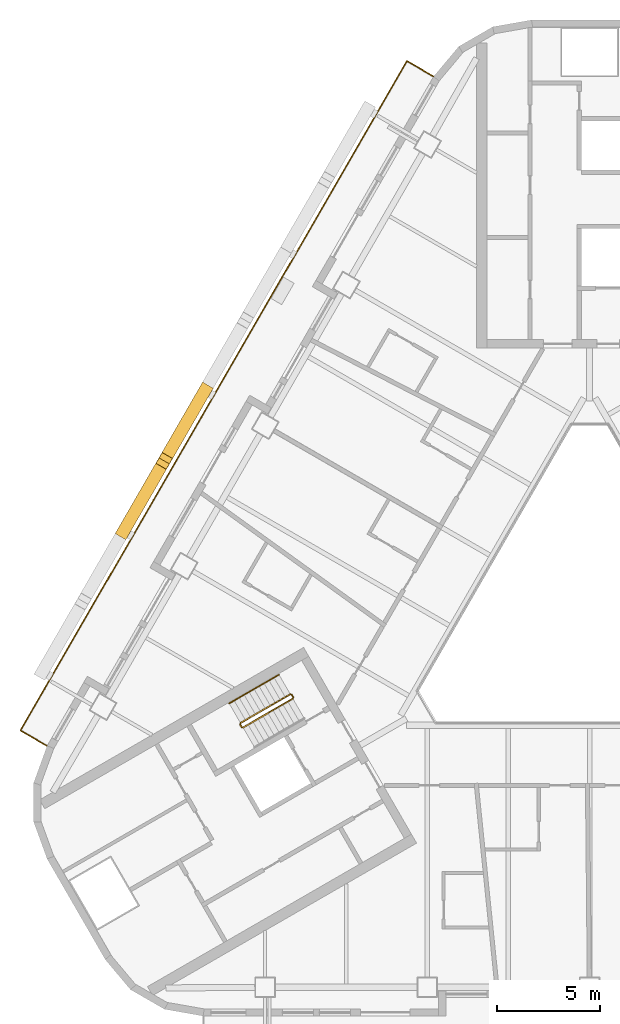
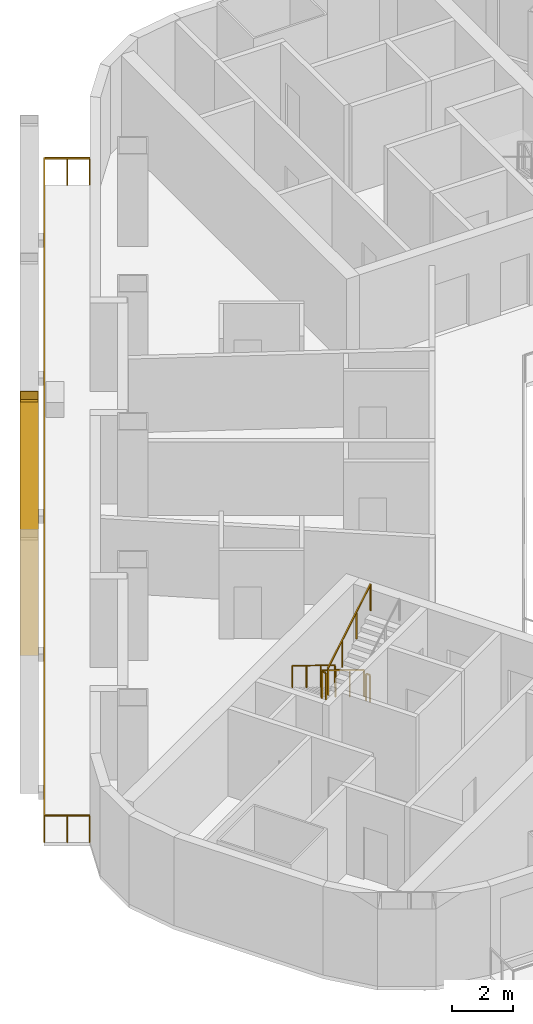
# One storey, part 10 of 14: 6 railings, 2 shading devices.
"""IFC4 building model written with IfcOpenShell, lengths in metres."""

from ifc_helpers import new_model, si_unit, direction, frame, origin, origin_2d, place, context, subcontext, project, spatial, rectangle, hollow_rectangle, circle, extrude, material, material_profile, profile_set, type_object, element, save


model = new_model("IFC4")

# Units and contexts
model_context = context("Model", 3, precision=1e-05, world=origin(), true_north=direction((0.0, 1.0)))
body_context = subcontext(model_context, "Body", "Model", "MODEL_VIEW")
ifc_project = project(units=[si_unit("LENGTHUNIT", "METRE"), si_unit("AREAUNIT", "SQUARE_METRE"), si_unit("VOLUMEUNIT", "CUBIC_METRE"), si_unit("PLANEANGLEUNIT", "RADIAN"), si_unit("MASSUNIT", "GRAM", prefix="KILO")], contexts=[model_context])

# Site, building, storey
site_placement = place(None, origin())
site = spatial("IfcSite", under=ifc_project, at=site_placement, CompositionType="ELEMENT")
building_placement = place(site_placement, origin())
building = spatial("IfcBuilding", under=site, at=building_placement, Name="Apuvela Tower Hotel", CompositionType="ELEMENT")
storey_placement = place(building_placement, frame((0.0, 0.0, 76.10009765625)))
storey = spatial("IfcBuildingStorey", under=building, at=storey_placement, Name="L16", CompositionType="ELEMENT", Elevation=76.10009765625)

# Railings
ifc_material_1 = material(Name="Steel S275 balustrade", Category="steel")
railing_type_1 = type_object("IfcRailingType", Name="COR-GUARD-1100", PredefinedType="GUARDRAIL", material=ifc_material_1)
railing_1_placement = place(storey_placement, frame((-14.569091796875, -3.9658203125, 0.16796875)))
element("IfcRailing", 1, at=railing_1_placement, inside=storey, type_object=railing_type_1, Name="L16 ST2 stair guard 1", PredefinedType="GUARDRAIL", context=body_context, shape_type="SweptSolid", body=[
    extrude(rectangle(XDim=0.048095703125, YDim=0.048095703125, at=origin_2d()), frame((0.0, 0.0, 1.076171875), z_axis=(-0.742390482028, -0.42860119049, 0.514934356695), x_axis=(0.49998411664, -0.866034573852, 0.0)), (0.0, 0.0, 1.0), 3.26611328125),
    extrude(rectangle(XDim=0.0419921875, YDim=0.0419921875, at=origin_2d()), origin(), (0.0, 0.0, 1.0), 1.052001953125),
    extrude(rectangle(XDim=0.0419921875, YDim=0.0419921875, at=origin_2d()), frame((-0.808349609375, -0.466552734375, 0.560546875)), (0.0, 0.0, 1.0), 1.052001953125),
    extrude(rectangle(XDim=0.0419921875, YDim=0.0419921875, at=origin_2d()), frame((-1.616455078125, -0.933349609375, 1.121337890625)), (0.0, 0.0, 1.0), 1.052001953125),
    extrude(rectangle(XDim=0.0419921875, YDim=0.0419921875, at=origin_2d()), frame((-2.4248046875, -1.39990234375, 1.681884765625)), (0.0, 0.0, 1.0), 1.052001953125),
])
railing_2_placement = place(storey_placement, frame((-17.01220703125, -5.43408203125, 1.849853515625)))
element("IfcRailing", 2, at=railing_2_placement, inside=storey, type_object=railing_type_1, Name="L16 ST2 stair guard 2", PredefinedType="GUARDRAIL", context=body_context, shape_type="SweptSolid", body=[
    extrude(rectangle(XDim=0.048095703125, YDim=0.048095703125, at=origin_2d()), frame((0.0, 0.0, 1.076171875), z_axis=(0.499816412211, -0.866131372301, 0.0), x_axis=(0.866131372301, 0.499816412211, 0.0)), (0.0, 0.0, 1.0), 0.14990234375),
    extrude(rectangle(XDim=0.0419921875, YDim=0.0419921875, at=origin_2d()), origin(), (0.0, 0.0, 1.0), 1.052001953125),
    extrude(rectangle(XDim=0.0419921875, YDim=0.0419921875, at=origin_2d()), frame((0.074951171875, -0.1298828125, 0.0)), (0.0, 0.0, 1.0), 1.052001953125),
])
railing_3_placement = place(storey_placement, frame((-16.868896484375, -5.582275390625, 2.01806640625)))
element("IfcRailing", 3, at=railing_3_placement, inside=storey, type_object=railing_type_1, Name="L16 ST2 stair guard 3", PredefinedType="GUARDRAIL", context=body_context, shape_type="SweptSolid", body=[
    extrude(rectangle(XDim=0.048095703125, YDim=0.048095703125, at=origin_2d()), frame((0.0, 0.0, 1.076171875), z_axis=(0.742390482028, 0.42860119049, 0.514934356695), x_axis=(-0.49998411664, 0.866034573852, 0.0)), (0.0, 0.0, 1.0), 3.26611328125),
    extrude(rectangle(XDim=0.0419921875, YDim=0.0419921875, at=origin_2d()), origin(), (0.0, 0.0, 1.0), 1.052001953125),
    extrude(rectangle(XDim=0.0419921875, YDim=0.0419921875, at=origin_2d()), frame((0.808349609375, 0.466552734375, 0.560546875)), (0.0, 0.0, 1.0), 1.052001953125),
    extrude(rectangle(XDim=0.0419921875, YDim=0.0419921875, at=origin_2d()), frame((1.616455078125, 0.933349609375, 1.121337890625)), (0.0, 0.0, 1.0), 1.052001953125),
    extrude(rectangle(XDim=0.0419921875, YDim=0.0419921875, at=origin_2d()), frame((2.4248046875, 1.39990234375, 1.681884765625)), (0.0, 0.0, 1.0), 1.052001953125),
])
railing_4_placement = place(storey_placement, frame((-14.500732421875, -3.984130859375, 0.0)))
element("IfcRailing", 4, at=railing_4_placement, inside=storey, type_object=railing_type_1, Name="L16 ST2 stair guard 4", PredefinedType="GUARDRAIL", context=body_context, shape_type="SweptSolid", body=[
    extrude(rectangle(XDim=0.048095703125, YDim=0.048095703125, at=origin_2d()), frame((0.0, 0.0, 1.076171875), z_axis=(0.499816412211, -0.866131372301, 0.0), x_axis=(0.866131372301, 0.499816412211, 0.0)), (0.0, 0.0, 1.0), 0.14990234375),
    extrude(rectangle(XDim=0.0419921875, YDim=0.0419921875, at=origin_2d()), origin(), (0.0, 0.0, 1.0), 1.052001953125),
    extrude(rectangle(XDim=0.0419921875, YDim=0.0419921875, at=origin_2d()), frame((0.074951171875, -0.1298828125, 0.0)), (0.0, 0.0, 1.0), 1.052001953125),
])
ifc_material_2 = material(Name="Stainless steel 316 handrail", Category="steel")
railing_type_2 = type_object("IfcRailingType", Name="COR-HANDRAIL-900", PredefinedType="HANDRAIL", material=ifc_material_2)
railing_5_placement = place(storey_placement, frame((-15.118896484375, -3.01318359375, 0.16796875)))
element("IfcRailing", 5, at=railing_5_placement, inside=storey, type_object=railing_type_2, Name="L16 ST2 stair handrail 1", PredefinedType="HANDRAIL", context=body_context, shape_type="SweptSolid", body=[
    extrude(circle(Radius=0.02392578125, at=origin_2d()), frame((0.0, 0.0, 0.8759765625), z_axis=(-0.742424030051, -0.428577407461, 0.514905783049), x_axis=(0.49994636267, -0.866056369097, 0.0)), (0.0, 0.0, 1.0), 3.266357421875),
    extrude(rectangle(XDim=0.0419921875, YDim=0.0419921875, at=origin_2d()), origin(), (0.0, 0.0, 1.0), 0.851806640625),
    extrude(rectangle(XDim=0.0419921875, YDim=0.0419921875, at=origin_2d()), frame((-0.808349609375, -0.466552734375, 0.560546875)), (0.0, 0.0, 1.0), 0.851806640625),
    extrude(rectangle(XDim=0.0419921875, YDim=0.0419921875, at=origin_2d()), frame((-1.61669921875, -0.933349609375, 1.121337890625)), (0.0, 0.0, 1.0), 0.851806640625),
    extrude(rectangle(XDim=0.0419921875, YDim=0.0419921875, at=origin_2d()), frame((-2.425048828125, -1.39990234375, 1.681884765625)), (0.0, 0.0, 1.0), 0.851806640625),
])

# Shading devices
ifc_material_3 = material(Name="Aluminium 6063-T6, black anodised", Category="aluminium")
ifc_material_profile = material_profile(ifc_material_3, hollow_rectangle(XDim=0.60009765625, YDim=0.699951171875, WallThickness=0.011962890625, at=origin_2d()), Name="AL BOX 700x600x12")
ifc_profile_set = profile_set([ifc_material_profile], Name="Aluminium 6063-T6, black anodised")
shading_device_type = type_object("IfcShadingDeviceType", Name="ENV-FIN-700x600", PredefinedType="USERDEFINED", material=ifc_profile_set)
shading_device_1_placement = place(storey_placement, frame((-18.732177734375, 10.81494140625, -0.10009765625), z_axis=(-0.235436388043, -0.407800622186, 0.882195193667), x_axis=(0.866032218625, -0.499988196164, 0.0)))
element("IfcShadingDevice", 6, at=shading_device_1_placement, inside=storey, type_object=shading_device_type, Name="Lattice fin NW133", ObjectType="FIN", PredefinedType="USERDEFINED", context=body_context, shape_type="SweptSolid", body=[
    extrude(hollow_rectangle(XDim=0.60009765625, YDim=0.699951171875, WallThickness=0.011962890625, at=origin_2d()), origin(), (0.0, 0.0, 1.0), 8.387939453125),
])
shading_device_2_placement = place(storey_placement, frame((-22.68212890625, 3.973388671875, -0.10009765625), z_axis=(0.235461085354, 0.407822092458, 0.882178677019), x_axis=(-0.866020906874, 0.500007788796, 0.0)))
element("IfcShadingDevice", 7, at=shading_device_2_placement, inside=storey, type_object=shading_device_type, Name="Lattice fin NW134", ObjectType="FIN", PredefinedType="USERDEFINED", context=body_context, shape_type="SweptSolid", body=[
    extrude(hollow_rectangle(XDim=0.60009765625, YDim=0.699951171875, WallThickness=0.011962890625, at=origin_2d()), origin(), (0.0, 0.0, 1.0), 8.38818359375),
])

# Railing
ifc_material_4 = material(Name="Stainless steel 316 rail with laminated glass infill", Category="steel")
railing_type_3 = type_object("IfcRailingType", Name="ENV-GUARD-1100", PredefinedType="GUARDRAIL", material=ifc_material_4)
railing_6_placement = place(storey_placement, frame((-7.59228515625, 26.110107421875, 0.0)))
element("IfcRailing", 8, at=railing_6_placement, inside=storey, type_object=railing_type_3, Name="Balcony guard NW L16", PredefinedType="GUARDRAIL", context=body_context, shape_type="SweptSolid", body=[
    extrude(rectangle(XDim=0.050048828125, YDim=0.050048828125, at=origin_2d()), frame((0.0, 0.0, 1.0751953125), z_axis=(-0.86599040064, 0.500060622324, 0.0), x_axis=(-0.500060622324, -0.86599040064, 0.0)), (0.0, 0.0, 1.0), 1.499755859375),
    extrude(rectangle(XDim=0.050048828125, YDim=0.050048828125, at=origin_2d()), frame((-1.298828125, 0.75, 1.0751953125), z_axis=(-0.500000437506, -0.86602515119, 0.0), x_axis=(0.86602515119, -0.500000437506, 0.0)), (0.0, 0.0, 1.0), 37.6318359375),
    extrude(rectangle(XDim=0.050048828125, YDim=0.050048828125, at=origin_2d()), frame((-20.11474609375, -31.840087890625, 1.0751953125), z_axis=(0.866031096941, -0.499990139034, 0.0), x_axis=(0.499990139034, 0.866031096941, 0.0)), (0.0, 0.0, 1.0), 1.5),
    extrude(rectangle(XDim=0.0400390625, YDim=0.0400390625, at=origin_2d()), origin(), (0.0, 0.0, 1.0), 1.050048828125),
    extrude(rectangle(XDim=0.0400390625, YDim=0.0400390625, at=origin_2d()), frame((-0.6494140625, 0.375, 0.0)), (0.0, 0.0, 1.0), 1.050048828125),
    extrude(rectangle(XDim=0.0400390625, YDim=0.0400390625, at=origin_2d()), frame((-1.298828125, 0.75, 0.0)), (0.0, 0.0, 1.0), 1.050048828125),
    extrude(rectangle(XDim=0.0400390625, YDim=0.0400390625, at=origin_2d()), frame((-1.88671875, -0.2685546875, 0.0)), (0.0, 0.0, 1.0), 1.050048828125),
    extrude(rectangle(XDim=0.0400390625, YDim=0.0400390625, at=origin_2d()), frame((-2.474853515625, -1.286865234375, 0.0)), (0.0, 0.0, 1.0), 1.050048828125),
    extrude(rectangle(XDim=0.0400390625, YDim=0.0400390625, at=origin_2d()), frame((-3.062744140625, -2.305419921875, 0.0)), (0.0, 0.0, 1.0), 1.050048828125),
    extrude(rectangle(XDim=0.0400390625, YDim=0.0400390625, at=origin_2d()), frame((-3.65087890625, -3.32373046875, 0.0)), (0.0, 0.0, 1.0), 1.050048828125),
    extrude(rectangle(XDim=0.0400390625, YDim=0.0400390625, at=origin_2d()), frame((-4.23876953125, -4.34228515625, 0.0)), (0.0, 0.0, 1.0), 1.050048828125),
    extrude(rectangle(XDim=0.0400390625, YDim=0.0400390625, at=origin_2d()), frame((-4.826904296875, -5.360595703125, 0.0)), (0.0, 0.0, 1.0), 1.050048828125),
    extrude(rectangle(XDim=0.0400390625, YDim=0.0400390625, at=origin_2d()), frame((-5.414794921875, -6.379150390625, 0.0)), (0.0, 0.0, 1.0), 1.050048828125),
    extrude(rectangle(XDim=0.0400390625, YDim=0.0400390625, at=origin_2d()), frame((-6.0029296875, -7.3974609375, 0.0)), (0.0, 0.0, 1.0), 1.050048828125),
    extrude(rectangle(XDim=0.0400390625, YDim=0.0400390625, at=origin_2d()), frame((-6.5908203125, -8.416015625, 0.0)), (0.0, 0.0, 1.0), 1.050048828125),
    extrude(rectangle(XDim=0.0400390625, YDim=0.0400390625, at=origin_2d()), frame((-7.1787109375, -9.434326171875, 0.0)), (0.0, 0.0, 1.0), 1.050048828125),
    extrude(rectangle(XDim=0.0400390625, YDim=0.0400390625, at=origin_2d()), frame((-7.766845703125, -10.452880859375, 0.0)), (0.0, 0.0, 1.0), 1.050048828125),
    extrude(rectangle(XDim=0.0400390625, YDim=0.0400390625, at=origin_2d()), frame((-8.354736328125, -11.47119140625, 0.0)), (0.0, 0.0, 1.0), 1.050048828125),
    extrude(rectangle(XDim=0.0400390625, YDim=0.0400390625, at=origin_2d()), frame((-8.94287109375, -12.48974609375, 0.0)), (0.0, 0.0, 1.0), 1.050048828125),
    extrude(rectangle(XDim=0.0400390625, YDim=0.0400390625, at=origin_2d()), frame((-9.53076171875, -13.508056640625, 0.0)), (0.0, 0.0, 1.0), 1.050048828125),
    extrude(rectangle(XDim=0.0400390625, YDim=0.0400390625, at=origin_2d()), frame((-10.118896484375, -14.526611328125, 0.0)), (0.0, 0.0, 1.0), 1.050048828125),
    extrude(rectangle(XDim=0.0400390625, YDim=0.0400390625, at=origin_2d()), frame((-10.706787109375, -15.544921875, 0.0)), (0.0, 0.0, 1.0), 1.050048828125),
    extrude(rectangle(XDim=0.0400390625, YDim=0.0400390625, at=origin_2d()), frame((-11.294677734375, -16.5634765625, 0.0)), (0.0, 0.0, 1.0), 1.050048828125),
    extrude(rectangle(XDim=0.0400390625, YDim=0.0400390625, at=origin_2d()), frame((-11.8828125, -17.58203125, 0.0)), (0.0, 0.0, 1.0), 1.050048828125),
    extrude(rectangle(XDim=0.0400390625, YDim=0.0400390625, at=origin_2d()), frame((-12.470703125, -18.600341796875, 0.0)), (0.0, 0.0, 1.0), 1.050048828125),
    extrude(rectangle(XDim=0.0400390625, YDim=0.0400390625, at=origin_2d()), frame((-13.058837890625, -19.618896484375, 0.0)), (0.0, 0.0, 1.0), 1.050048828125),
    extrude(rectangle(XDim=0.0400390625, YDim=0.0400390625, at=origin_2d()), frame((-13.646728515625, -20.63720703125, 0.0)), (0.0, 0.0, 1.0), 1.050048828125),
    extrude(rectangle(XDim=0.0400390625, YDim=0.0400390625, at=origin_2d()), frame((-14.23486328125, -21.65576171875, 0.0)), (0.0, 0.0, 1.0), 1.050048828125),
    extrude(rectangle(XDim=0.0400390625, YDim=0.0400390625, at=origin_2d()), frame((-14.82275390625, -22.674072265625, 0.0)), (0.0, 0.0, 1.0), 1.050048828125),
    extrude(rectangle(XDim=0.0400390625, YDim=0.0400390625, at=origin_2d()), frame((-15.41064453125, -23.692626953125, 0.0)), (0.0, 0.0, 1.0), 1.050048828125),
    extrude(rectangle(XDim=0.0400390625, YDim=0.0400390625, at=origin_2d()), frame((-15.998779296875, -24.7109375, 0.0)), (0.0, 0.0, 1.0), 1.050048828125),
    extrude(rectangle(XDim=0.0400390625, YDim=0.0400390625, at=origin_2d()), frame((-16.586669921875, -25.7294921875, 0.0)), (0.0, 0.0, 1.0), 1.050048828125),
    extrude(rectangle(XDim=0.0400390625, YDim=0.0400390625, at=origin_2d()), frame((-17.1748046875, -26.747802734375, 0.0)), (0.0, 0.0, 1.0), 1.050048828125),
    extrude(rectangle(XDim=0.0400390625, YDim=0.0400390625, at=origin_2d()), frame((-17.7626953125, -27.766357421875, 0.0)), (0.0, 0.0, 1.0), 1.050048828125),
    extrude(rectangle(XDim=0.0400390625, YDim=0.0400390625, at=origin_2d()), frame((-18.350830078125, -28.78466796875, 0.0)), (0.0, 0.0, 1.0), 1.050048828125),
    extrude(rectangle(XDim=0.0400390625, YDim=0.0400390625, at=origin_2d()), frame((-18.938720703125, -29.80322265625, 0.0)), (0.0, 0.0, 1.0), 1.050048828125),
    extrude(rectangle(XDim=0.0400390625, YDim=0.0400390625, at=origin_2d()), frame((-19.52685546875, -30.821533203125, 0.0)), (0.0, 0.0, 1.0), 1.050048828125),
    extrude(rectangle(XDim=0.0400390625, YDim=0.0400390625, at=origin_2d()), frame((-20.11474609375, -31.840087890625, 0.0)), (0.0, 0.0, 1.0), 1.050048828125),
    extrude(rectangle(XDim=0.0400390625, YDim=0.0400390625, at=origin_2d()), frame((-19.46533203125, -32.215087890625, 0.0)), (0.0, 0.0, 1.0), 1.050048828125),
    extrude(rectangle(XDim=0.0400390625, YDim=0.0400390625, at=origin_2d()), frame((-18.815673828125, -32.590087890625, 0.0)), (0.0, 0.0, 1.0), 1.050048828125),
])

save(model, "model.ifc")
